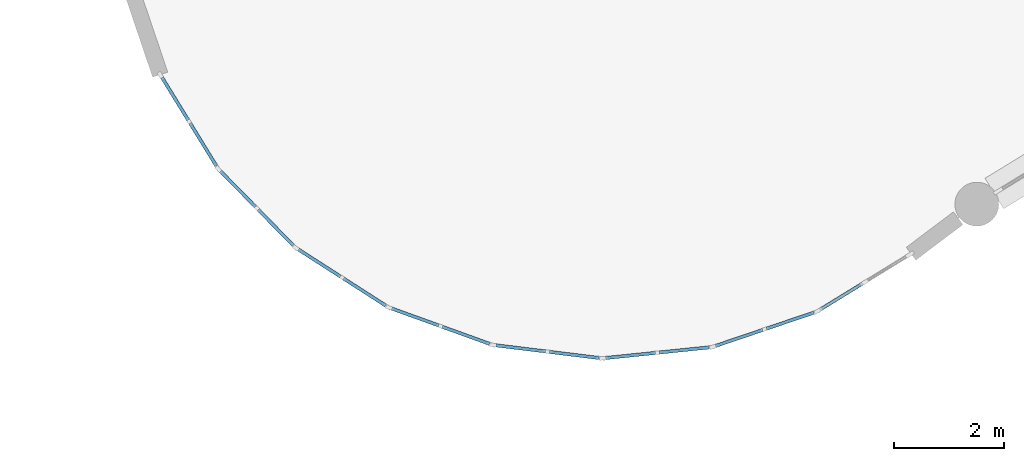
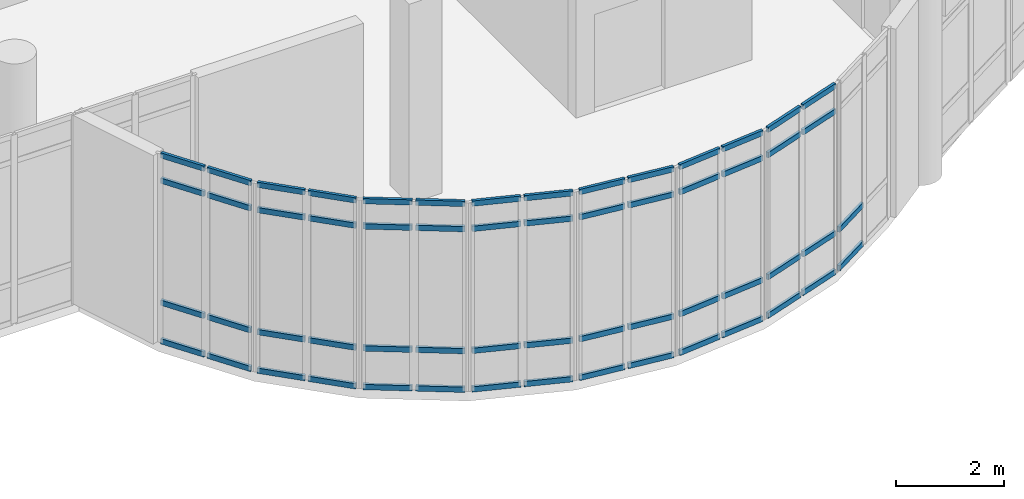
# One storey, part 28 of 54: 58 members, 8 elements without a shape of their own.
"""IFC4 building model written with IfcOpenShell, lengths in metres."""

from ifc_helpers import new_model, si_unit, direction, frame, origin, origin_2d, place, context, subcontext, project, spatial, rectangle, extrude, material, layer, layer_set, material_profile, profile_set, type_object, element, aggregate, save


model = new_model("IFC4")

# Units and contexts
model_context = context("Model", 3, precision=1e-05, world=origin(), true_north=direction((0.0, 1.0)))
body_context = subcontext(model_context, "Body", "Model", "MODEL_VIEW")
ifc_project = project(units=[si_unit("LENGTHUNIT", "METRE"), si_unit("AREAUNIT", "SQUARE_METRE"), si_unit("VOLUMEUNIT", "CUBIC_METRE"), si_unit("PLANEANGLEUNIT", "RADIAN"), si_unit("MASSUNIT", "GRAM", prefix="KILO")], contexts=[model_context])

# Site, building, storey
site_placement = place(None, origin())
site = spatial("IfcSite", under=ifc_project, at=site_placement, CompositionType="ELEMENT")
building_placement = place(site_placement, origin())
building = spatial("IfcBuilding", under=site, at=building_placement, Name="Miralva Faculty of Natural Sciences", CompositionType="ELEMENT")
storey_placement = place(building_placement, frame((0.0, 0.0, 19.5)))
storey = spatial("IfcBuildingStorey", under=building, at=storey_placement, Name="L04", CompositionType="ELEMENT", Elevation=19.5)

# Curtain wall, members
ifc_material_1 = material(Name="Laminated solar-control glass", Category="glass")
ifc_layer = layer(ifc_material_1, 0.179931640625, Name="CW-RND-L03")
ifc_layer_set = layer_set([ifc_layer], Name="Laminated solar-control glass")
curtain_wall_type = type_object("IfcCurtainWallType", Name="CW-RND-L03", PredefinedType="USERDEFINED", material=ifc_layer_set)
curtain_wall_1_placement = place(storey_placement, origin())
curtain_wall_1 = element("IfcCurtainWall", 1, at=curtain_wall_1_placement, inside=storey, type_object=curtain_wall_type, Name="Curtain wall CW-06 L04-189", ObjectType="UNITISED CURTAIN WALL", PredefinedType="USERDEFINED")
ifc_material_2 = material(Name="Anodised aluminium", Category="aluminium")
ifc_material_profile = material_profile(ifc_material_2, rectangle(XDim=0.06005859375, YDim=0.1201171875, at=origin_2d()), Name="TRANSOM 60x120")
ifc_profile_set = profile_set([ifc_material_profile], Name="Anodised aluminium")
member_type = type_object("IfcMemberType", Name="CW-T02", PredefinedType="USERDEFINED", material=ifc_profile_set)
member_1_placement = place(storey_placement, frame((61.864990234375, 11.86328125, 0.030029296875), z_axis=(0.852016327326, 0.52351521274, 0.0), x_axis=(-0.52351521274, 0.852016327326, 0.0)))
member_1 = element("IfcMember", 2, at=member_1_placement, type_object=member_type, Name="CW-06 transom 1.1", ObjectType="TRANSOM", PredefinedType="USERDEFINED", context=body_context, shape_type="SweptSolid", body=[
    extrude(rectangle(XDim=0.06005859375, YDim=0.1201171875, at=origin_2d()), origin(), (0.0, 0.0, 1.0), 0.91259765625),
])
member_2_placement = place(storey_placement, frame((61.864990234375, 11.86328125, 0.89990234375), z_axis=(0.852016327326, 0.52351521274, 0.0), x_axis=(-0.52351521274, 0.852016327326, 0.0)))
member_2 = element("IfcMember", 3, at=member_2_placement, type_object=member_type, Name="CW-06 transom 1.2", ObjectType="TRANSOM", PredefinedType="USERDEFINED", context=body_context, shape_type="SweptSolid", body=[
    extrude(rectangle(XDim=0.06005859375, YDim=0.1201171875, at=origin_2d()), origin(), (0.0, 0.0, 1.0), 0.91259765625),
])
aggregate(curtain_wall_1, [member_1, member_2])

curtain_wall_2_placement = place(storey_placement, origin())
curtain_wall_2 = element("IfcCurtainWall", 4, at=curtain_wall_2_placement, inside=storey, type_object=curtain_wall_type, Name="Curtain wall CW-06 L04-190", ObjectType="UNITISED CURTAIN WALL", PredefinedType="USERDEFINED")
member_3_placement = place(storey_placement, frame((59.962158203125, 11.20361328125, 0.030029296875), z_axis=(0.947174722358, 0.32071801528, 0.0), x_axis=(-0.32071801528, 0.947174722358, 0.0)))
member_3 = element("IfcMember", 5, at=member_3_placement, type_object=member_type, Name="CW-06 transom 1.1", ObjectType="TRANSOM", PredefinedType="USERDEFINED", context=body_context, shape_type="SweptSolid", body=[
    extrude(rectangle(XDim=0.06005859375, YDim=0.1201171875, at=origin_2d()), origin(), (0.0, 0.0, 1.0), 0.91259765625),
])
member_4_placement = place(storey_placement, frame((59.962158203125, 11.20361328125, 0.89990234375), z_axis=(0.947174722358, 0.32071801528, 0.0), x_axis=(-0.32071801528, 0.947174722358, 0.0)))
member_4 = element("IfcMember", 6, at=member_4_placement, type_object=member_type, Name="CW-06 transom 1.2", ObjectType="TRANSOM", PredefinedType="USERDEFINED", context=body_context, shape_type="SweptSolid", body=[
    extrude(rectangle(XDim=0.06005859375, YDim=0.1201171875, at=origin_2d()), origin(), (0.0, 0.0, 1.0), 0.91259765625),
])
member_5_placement = place(storey_placement, frame((59.962158203125, 11.20361328125, 3.64990234375), z_axis=(0.947174722358, 0.32071801528, 0.0), x_axis=(-0.32071801528, 0.947174722358, 0.0)))
member_5 = element("IfcMember", 7, at=member_5_placement, type_object=member_type, Name="CW-06 transom 1.3", ObjectType="TRANSOM", PredefinedType="USERDEFINED", context=body_context, shape_type="SweptSolid", body=[
    extrude(rectangle(XDim=0.06005859375, YDim=0.1201171875, at=origin_2d()), origin(), (0.0, 0.0, 1.0), 0.91259765625),
])
member_6_placement = place(storey_placement, frame((59.962158203125, 11.20361328125, 4.219970703125), z_axis=(0.947174722358, 0.32071801528, 0.0), x_axis=(-0.32071801528, 0.947174722358, 0.0)))
member_6 = element("IfcMember", 8, at=member_6_placement, type_object=member_type, Name="CW-06 transom 1.4", ObjectType="TRANSOM", PredefinedType="USERDEFINED", context=body_context, shape_type="SweptSolid", body=[
    extrude(rectangle(XDim=0.06005859375, YDim=0.1201171875, at=origin_2d()), origin(), (0.0, 0.0, 1.0), 0.91259765625),
])
member_7_placement = place(storey_placement, frame((60.88818359375, 11.517333984375, 0.030029296875), z_axis=(0.947174722358, 0.32071801528, 0.0), x_axis=(-0.32071801528, 0.947174722358, 0.0)))
member_7 = element("IfcMember", 9, at=member_7_placement, type_object=member_type, Name="CW-06 transom 2.1", ObjectType="TRANSOM", PredefinedType="USERDEFINED", context=body_context, shape_type="SweptSolid", body=[
    extrude(rectangle(XDim=0.06005859375, YDim=0.1201171875, at=origin_2d()), origin(), (0.0, 0.0, 1.0), 0.91259765625),
])
member_8_placement = place(storey_placement, frame((60.88818359375, 11.517333984375, 0.89990234375), z_axis=(0.947174722358, 0.32071801528, 0.0), x_axis=(-0.32071801528, 0.947174722358, 0.0)))
member_8 = element("IfcMember", 10, at=member_8_placement, type_object=member_type, Name="CW-06 transom 2.2", ObjectType="TRANSOM", PredefinedType="USERDEFINED", context=body_context, shape_type="SweptSolid", body=[
    extrude(rectangle(XDim=0.06005859375, YDim=0.1201171875, at=origin_2d()), origin(), (0.0, 0.0, 1.0), 0.91259765625),
])
member_9_placement = place(storey_placement, frame((60.88818359375, 11.517333984375, 3.64990234375), z_axis=(0.947174722358, 0.32071801528, 0.0), x_axis=(-0.32071801528, 0.947174722358, 0.0)))
member_9 = element("IfcMember", 11, at=member_9_placement, type_object=member_type, Name="CW-06 transom 2.3", ObjectType="TRANSOM", PredefinedType="USERDEFINED", context=body_context, shape_type="SweptSolid", body=[
    extrude(rectangle(XDim=0.06005859375, YDim=0.1201171875, at=origin_2d()), origin(), (0.0, 0.0, 1.0), 0.91259765625),
])
member_10_placement = place(storey_placement, frame((60.88818359375, 11.517333984375, 4.219970703125), z_axis=(0.947174722358, 0.32071801528, 0.0), x_axis=(-0.32071801528, 0.947174722358, 0.0)))
member_10 = element("IfcMember", 12, at=member_10_placement, type_object=member_type, Name="CW-06 transom 2.4", ObjectType="TRANSOM", PredefinedType="USERDEFINED", context=body_context, shape_type="SweptSolid", body=[
    extrude(rectangle(XDim=0.06005859375, YDim=0.1201171875, at=origin_2d()), origin(), (0.0, 0.0, 1.0), 0.91259765625),
])
aggregate(curtain_wall_2, [member_3, member_4, member_5, member_6, member_7, member_8, member_9, member_10])

curtain_wall_3_placement = place(storey_placement, origin())
curtain_wall_3 = element("IfcCurtainWall", 13, at=curtain_wall_3_placement, inside=storey, type_object=curtain_wall_type, Name="Curtain wall CW-06 L04-191", ObjectType="UNITISED CURTAIN WALL", PredefinedType="USERDEFINED")
member_11_placement = place(storey_placement, frame((57.96044921875, 10.983642578125, 0.030029296875), z_axis=(0.994766112877, 0.102178180995, 0.0), x_axis=(-0.102178180995, 0.994766112877, 0.0)))
member_11 = element("IfcMember", 14, at=member_11_placement, type_object=member_type, Name="CW-06 transom 1.1", ObjectType="TRANSOM", PredefinedType="USERDEFINED", context=body_context, shape_type="SweptSolid", body=[
    extrude(rectangle(XDim=0.06005859375, YDim=0.1201171875, at=origin_2d()), origin(), (0.0, 0.0, 1.0), 0.912841796875),
])
member_12_placement = place(storey_placement, frame((57.96044921875, 10.983642578125, 0.89990234375), z_axis=(0.994766112877, 0.102178180995, 0.0), x_axis=(-0.102178180995, 0.994766112877, 0.0)))
member_12 = element("IfcMember", 15, at=member_12_placement, type_object=member_type, Name="CW-06 transom 1.2", ObjectType="TRANSOM", PredefinedType="USERDEFINED", context=body_context, shape_type="SweptSolid", body=[
    extrude(rectangle(XDim=0.06005859375, YDim=0.1201171875, at=origin_2d()), origin(), (0.0, 0.0, 1.0), 0.912841796875),
])
member_13_placement = place(storey_placement, frame((57.96044921875, 10.983642578125, 3.64990234375), z_axis=(0.994766112877, 0.102178180995, 0.0), x_axis=(-0.102178180995, 0.994766112877, 0.0)))
member_13 = element("IfcMember", 16, at=member_13_placement, type_object=member_type, Name="CW-06 transom 1.3", ObjectType="TRANSOM", PredefinedType="USERDEFINED", context=body_context, shape_type="SweptSolid", body=[
    extrude(rectangle(XDim=0.06005859375, YDim=0.1201171875, at=origin_2d()), origin(), (0.0, 0.0, 1.0), 0.912841796875),
])
member_14_placement = place(storey_placement, frame((57.96044921875, 10.983642578125, 4.219970703125), z_axis=(0.994766112877, 0.102178180995, 0.0), x_axis=(-0.102178180995, 0.994766112877, 0.0)))
member_14 = element("IfcMember", 17, at=member_14_placement, type_object=member_type, Name="CW-06 transom 1.4", ObjectType="TRANSOM", PredefinedType="USERDEFINED", context=body_context, shape_type="SweptSolid", body=[
    extrude(rectangle(XDim=0.06005859375, YDim=0.1201171875, at=origin_2d()), origin(), (0.0, 0.0, 1.0), 0.912841796875),
])
member_15_placement = place(storey_placement, frame((58.93310546875, 11.08349609375, 0.030029296875), z_axis=(0.994793266196, 0.101913480619, 0.0), x_axis=(-0.101913480619, 0.994793266196, 0.0)))
member_15 = element("IfcMember", 18, at=member_15_placement, type_object=member_type, Name="CW-06 transom 2.1", ObjectType="TRANSOM", PredefinedType="USERDEFINED", context=body_context, shape_type="SweptSolid", body=[
    extrude(rectangle(XDim=0.06005859375, YDim=0.1201171875, at=origin_2d()), origin(), (0.0, 0.0, 1.0), 0.91259765625),
])
member_16_placement = place(storey_placement, frame((58.93310546875, 11.08349609375, 0.89990234375), z_axis=(0.994793266196, 0.101913480619, 0.0), x_axis=(-0.101913480619, 0.994793266196, 0.0)))
member_16 = element("IfcMember", 19, at=member_16_placement, type_object=member_type, Name="CW-06 transom 2.2", ObjectType="TRANSOM", PredefinedType="USERDEFINED", context=body_context, shape_type="SweptSolid", body=[
    extrude(rectangle(XDim=0.06005859375, YDim=0.1201171875, at=origin_2d()), origin(), (0.0, 0.0, 1.0), 0.91259765625),
])
member_17_placement = place(storey_placement, frame((58.93310546875, 11.08349609375, 3.64990234375), z_axis=(0.994793266196, 0.101913480619, 0.0), x_axis=(-0.101913480619, 0.994793266196, 0.0)))
member_17 = element("IfcMember", 20, at=member_17_placement, type_object=member_type, Name="CW-06 transom 2.3", ObjectType="TRANSOM", PredefinedType="USERDEFINED", context=body_context, shape_type="SweptSolid", body=[
    extrude(rectangle(XDim=0.06005859375, YDim=0.1201171875, at=origin_2d()), origin(), (0.0, 0.0, 1.0), 0.91259765625),
])
member_18_placement = place(storey_placement, frame((58.93310546875, 11.08349609375, 4.219970703125), z_axis=(0.994793266196, 0.101913480619, 0.0), x_axis=(-0.101913480619, 0.994793266196, 0.0)))
member_18 = element("IfcMember", 21, at=member_18_placement, type_object=member_type, Name="CW-06 transom 2.4", ObjectType="TRANSOM", PredefinedType="USERDEFINED", context=body_context, shape_type="SweptSolid", body=[
    extrude(rectangle(XDim=0.06005859375, YDim=0.1201171875, at=origin_2d()), origin(), (0.0, 0.0, 1.0), 0.91259765625),
])
aggregate(curtain_wall_3, [member_11, member_12, member_13, member_14, member_15, member_16, member_17, member_18])

curtain_wall_4_placement = place(storey_placement, origin())
curtain_wall_4 = element("IfcCurtainWall", 22, at=curtain_wall_4_placement, inside=storey, type_object=curtain_wall_type, Name="Curtain wall CW-06 L04-192", ObjectType="UNITISED CURTAIN WALL", PredefinedType="USERDEFINED")
member_19_placement = place(storey_placement, frame((55.9599609375, 11.214599609375, 0.030029296875), z_axis=(0.99256727955, -0.121697146913, 0.0), x_axis=(0.121697146913, 0.99256727955, 0.0)))
member_19 = element("IfcMember", 23, at=member_19_placement, type_object=member_type, Name="CW-06 transom 1.1", ObjectType="TRANSOM", PredefinedType="USERDEFINED", context=body_context, shape_type="SweptSolid", body=[
    extrude(rectangle(XDim=0.06005859375, YDim=0.1201171875, at=origin_2d()), origin(), (0.0, 0.0, 1.0), 0.912841796875),
])
member_20_placement = place(storey_placement, frame((55.9599609375, 11.214599609375, 0.89990234375), z_axis=(0.99256727955, -0.121697146913, 0.0), x_axis=(0.121697146913, 0.99256727955, 0.0)))
member_20 = element("IfcMember", 24, at=member_20_placement, type_object=member_type, Name="CW-06 transom 1.2", ObjectType="TRANSOM", PredefinedType="USERDEFINED", context=body_context, shape_type="SweptSolid", body=[
    extrude(rectangle(XDim=0.06005859375, YDim=0.1201171875, at=origin_2d()), origin(), (0.0, 0.0, 1.0), 0.912841796875),
])
member_21_placement = place(storey_placement, frame((55.9599609375, 11.214599609375, 3.64990234375), z_axis=(0.99256727955, -0.121697146913, 0.0), x_axis=(0.121697146913, 0.99256727955, 0.0)))
member_21 = element("IfcMember", 25, at=member_21_placement, type_object=member_type, Name="CW-06 transom 1.3", ObjectType="TRANSOM", PredefinedType="USERDEFINED", context=body_context, shape_type="SweptSolid", body=[
    extrude(rectangle(XDim=0.06005859375, YDim=0.1201171875, at=origin_2d()), origin(), (0.0, 0.0, 1.0), 0.912841796875),
])
member_22_placement = place(storey_placement, frame((55.9599609375, 11.214599609375, 4.219970703125), z_axis=(0.99256727955, -0.121697146913, 0.0), x_axis=(0.121697146913, 0.99256727955, 0.0)))
member_22 = element("IfcMember", 26, at=member_22_placement, type_object=member_type, Name="CW-06 transom 1.4", ObjectType="TRANSOM", PredefinedType="USERDEFINED", context=body_context, shape_type="SweptSolid", body=[
    extrude(rectangle(XDim=0.06005859375, YDim=0.1201171875, at=origin_2d()), origin(), (0.0, 0.0, 1.0), 0.912841796875),
])
member_23_placement = place(storey_placement, frame((56.930419921875, 11.095458984375, 0.030029296875), z_axis=(0.992563316744, -0.121729463374, 0.0), x_axis=(0.121729463374, 0.992563316744, 0.0)))
member_23 = element("IfcMember", 27, at=member_23_placement, type_object=member_type, Name="CW-06 transom 2.1", ObjectType="TRANSOM", PredefinedType="USERDEFINED", context=body_context, shape_type="SweptSolid", body=[
    extrude(rectangle(XDim=0.06005859375, YDim=0.1201171875, at=origin_2d()), origin(), (0.0, 0.0, 1.0), 0.91259765625),
])
member_24_placement = place(storey_placement, frame((56.930419921875, 11.095458984375, 0.89990234375), z_axis=(0.992563316744, -0.121729463374, 0.0), x_axis=(0.121729463374, 0.992563316744, 0.0)))
member_24 = element("IfcMember", 28, at=member_24_placement, type_object=member_type, Name="CW-06 transom 2.2", ObjectType="TRANSOM", PredefinedType="USERDEFINED", context=body_context, shape_type="SweptSolid", body=[
    extrude(rectangle(XDim=0.06005859375, YDim=0.1201171875, at=origin_2d()), origin(), (0.0, 0.0, 1.0), 0.91259765625),
])
member_25_placement = place(storey_placement, frame((56.930419921875, 11.095458984375, 3.64990234375), z_axis=(0.992563316744, -0.121729463374, 0.0), x_axis=(0.121729463374, 0.992563316744, 0.0)))
member_25 = element("IfcMember", 29, at=member_25_placement, type_object=member_type, Name="CW-06 transom 2.3", ObjectType="TRANSOM", PredefinedType="USERDEFINED", context=body_context, shape_type="SweptSolid", body=[
    extrude(rectangle(XDim=0.06005859375, YDim=0.1201171875, at=origin_2d()), origin(), (0.0, 0.0, 1.0), 0.91259765625),
])
member_26_placement = place(storey_placement, frame((56.930419921875, 11.095458984375, 4.219970703125), z_axis=(0.992563316744, -0.121729463374, 0.0), x_axis=(0.121729463374, 0.992563316744, 0.0)))
member_26 = element("IfcMember", 30, at=member_26_placement, type_object=member_type, Name="CW-06 transom 2.4", ObjectType="TRANSOM", PredefinedType="USERDEFINED", context=body_context, shape_type="SweptSolid", body=[
    extrude(rectangle(XDim=0.06005859375, YDim=0.1201171875, at=origin_2d()), origin(), (0.0, 0.0, 1.0), 0.91259765625),
])
aggregate(curtain_wall_4, [member_19, member_20, member_21, member_22, member_23, member_24, member_25, member_26])

curtain_wall_5_placement = place(storey_placement, origin())
curtain_wall_5 = element("IfcCurtainWall", 31, at=curtain_wall_5_placement, inside=storey, type_object=curtain_wall_type, Name="Curtain wall CW-06 L04-193", ObjectType="UNITISED CURTAIN WALL", PredefinedType="USERDEFINED")
member_27_placement = place(storey_placement, frame((54.06103515625, 11.885009765625, 0.030029296875), z_axis=(0.94061086064, -0.339486684344, 0.0), x_axis=(0.339486684344, 0.94061086064, 0.0)))
member_27 = element("IfcMember", 32, at=member_27_placement, type_object=member_type, Name="CW-06 transom 1.1", ObjectType="TRANSOM", PredefinedType="USERDEFINED", context=body_context, shape_type="SweptSolid", body=[
    extrude(rectangle(XDim=0.06005859375, YDim=0.1201171875, at=origin_2d()), origin(), (0.0, 0.0, 1.0), 0.91259765625),
])
member_28_placement = place(storey_placement, frame((54.06103515625, 11.885009765625, 0.89990234375), z_axis=(0.94061086064, -0.339486684344, 0.0), x_axis=(0.339486684344, 0.94061086064, 0.0)))
member_28 = element("IfcMember", 33, at=member_28_placement, type_object=member_type, Name="CW-06 transom 1.2", ObjectType="TRANSOM", PredefinedType="USERDEFINED", context=body_context, shape_type="SweptSolid", body=[
    extrude(rectangle(XDim=0.06005859375, YDim=0.1201171875, at=origin_2d()), origin(), (0.0, 0.0, 1.0), 0.91259765625),
])
member_29_placement = place(storey_placement, frame((54.06103515625, 11.885009765625, 3.64990234375), z_axis=(0.94061086064, -0.339486684344, 0.0), x_axis=(0.339486684344, 0.94061086064, 0.0)))
member_29 = element("IfcMember", 34, at=member_29_placement, type_object=member_type, Name="CW-06 transom 1.3", ObjectType="TRANSOM", PredefinedType="USERDEFINED", context=body_context, shape_type="SweptSolid", body=[
    extrude(rectangle(XDim=0.06005859375, YDim=0.1201171875, at=origin_2d()), origin(), (0.0, 0.0, 1.0), 0.91259765625),
])
member_30_placement = place(storey_placement, frame((54.06103515625, 11.885009765625, 4.219970703125), z_axis=(0.94061086064, -0.339486684344, 0.0), x_axis=(0.339486684344, 0.94061086064, 0.0)))
member_30 = element("IfcMember", 35, at=member_30_placement, type_object=member_type, Name="CW-06 transom 1.4", ObjectType="TRANSOM", PredefinedType="USERDEFINED", context=body_context, shape_type="SweptSolid", body=[
    extrude(rectangle(XDim=0.06005859375, YDim=0.1201171875, at=origin_2d()), origin(), (0.0, 0.0, 1.0), 0.91259765625),
])
member_31_placement = place(storey_placement, frame((54.980712890625, 11.552978515625, 0.030029296875), z_axis=(0.940525411881, -0.339723342744, 0.0), x_axis=(0.339723342744, 0.940525411881, 0.0)))
member_31 = element("IfcMember", 36, at=member_31_placement, type_object=member_type, Name="CW-06 transom 2.1", ObjectType="TRANSOM", PredefinedType="USERDEFINED", context=body_context, shape_type="SweptSolid", body=[
    extrude(rectangle(XDim=0.06005859375, YDim=0.1201171875, at=origin_2d()), origin(), (0.0, 0.0, 1.0), 0.91259765625),
])
member_32_placement = place(storey_placement, frame((54.980712890625, 11.552978515625, 0.89990234375), z_axis=(0.940525411881, -0.339723342744, 0.0), x_axis=(0.339723342744, 0.940525411881, 0.0)))
member_32 = element("IfcMember", 37, at=member_32_placement, type_object=member_type, Name="CW-06 transom 2.2", ObjectType="TRANSOM", PredefinedType="USERDEFINED", context=body_context, shape_type="SweptSolid", body=[
    extrude(rectangle(XDim=0.06005859375, YDim=0.1201171875, at=origin_2d()), origin(), (0.0, 0.0, 1.0), 0.91259765625),
])
member_33_placement = place(storey_placement, frame((54.980712890625, 11.552978515625, 3.64990234375), z_axis=(0.940525411881, -0.339723342744, 0.0), x_axis=(0.339723342744, 0.940525411881, 0.0)))
member_33 = element("IfcMember", 38, at=member_33_placement, type_object=member_type, Name="CW-06 transom 2.3", ObjectType="TRANSOM", PredefinedType="USERDEFINED", context=body_context, shape_type="SweptSolid", body=[
    extrude(rectangle(XDim=0.06005859375, YDim=0.1201171875, at=origin_2d()), origin(), (0.0, 0.0, 1.0), 0.91259765625),
])
member_34_placement = place(storey_placement, frame((54.980712890625, 11.552978515625, 4.219970703125), z_axis=(0.940525411881, -0.339723342744, 0.0), x_axis=(0.339723342744, 0.940525411881, 0.0)))
member_34 = element("IfcMember", 39, at=member_34_placement, type_object=member_type, Name="CW-06 transom 2.4", ObjectType="TRANSOM", PredefinedType="USERDEFINED", context=body_context, shape_type="SweptSolid", body=[
    extrude(rectangle(XDim=0.06005859375, YDim=0.1201171875, at=origin_2d()), origin(), (0.0, 0.0, 1.0), 0.91259765625),
])
aggregate(curtain_wall_5, [member_27, member_28, member_29, member_30, member_31, member_32, member_33, member_34])

curtain_wall_6_placement = place(storey_placement, origin())
curtain_wall_6 = element("IfcCurtainWall", 40, at=curtain_wall_6_placement, inside=storey, type_object=curtain_wall_type, Name="Curtain wall CW-06 L04-194", ObjectType="UNITISED CURTAIN WALL", PredefinedType="USERDEFINED")
member_35_placement = place(storey_placement, frame((52.35888671875, 12.961181640625, 0.030029296875), z_axis=(0.841473826714, -0.540297879836, 0.0), x_axis=(0.540297879836, 0.841473826714, 0.0)))
member_35 = element("IfcMember", 41, at=member_35_placement, type_object=member_type, Name="CW-06 transom 1.1", ObjectType="TRANSOM", PredefinedType="USERDEFINED", context=body_context, shape_type="SweptSolid", body=[
    extrude(rectangle(XDim=0.06005859375, YDim=0.1201171875, at=origin_2d()), origin(), (0.0, 0.0, 1.0), 0.912841796875),
])
member_36_placement = place(storey_placement, frame((52.35888671875, 12.961181640625, 0.89990234375), z_axis=(0.841473826714, -0.540297879836, 0.0), x_axis=(0.540297879836, 0.841473826714, 0.0)))
member_36 = element("IfcMember", 42, at=member_36_placement, type_object=member_type, Name="CW-06 transom 1.2", ObjectType="TRANSOM", PredefinedType="USERDEFINED", context=body_context, shape_type="SweptSolid", body=[
    extrude(rectangle(XDim=0.06005859375, YDim=0.1201171875, at=origin_2d()), origin(), (0.0, 0.0, 1.0), 0.912841796875),
])
member_37_placement = place(storey_placement, frame((52.35888671875, 12.961181640625, 3.64990234375), z_axis=(0.841473826714, -0.540297879836, 0.0), x_axis=(0.540297879836, 0.841473826714, 0.0)))
member_37 = element("IfcMember", 43, at=member_37_placement, type_object=member_type, Name="CW-06 transom 1.3", ObjectType="TRANSOM", PredefinedType="USERDEFINED", context=body_context, shape_type="SweptSolid", body=[
    extrude(rectangle(XDim=0.06005859375, YDim=0.1201171875, at=origin_2d()), origin(), (0.0, 0.0, 1.0), 0.912841796875),
])
member_38_placement = place(storey_placement, frame((52.35888671875, 12.961181640625, 4.219970703125), z_axis=(0.841473826714, -0.540297879836, 0.0), x_axis=(0.540297879836, 0.841473826714, 0.0)))
member_38 = element("IfcMember", 44, at=member_38_placement, type_object=member_type, Name="CW-06 transom 1.4", ObjectType="TRANSOM", PredefinedType="USERDEFINED", context=body_context, shape_type="SweptSolid", body=[
    extrude(rectangle(XDim=0.06005859375, YDim=0.1201171875, at=origin_2d()), origin(), (0.0, 0.0, 1.0), 0.912841796875),
])
member_39_placement = place(storey_placement, frame((53.181640625, 12.432861328125, 0.030029296875), z_axis=(0.841395718797, -0.540419507781, 0.0), x_axis=(0.540419507781, 0.841395718797, 0.0)))
member_39 = element("IfcMember", 45, at=member_39_placement, type_object=member_type, Name="CW-06 transom 2.1", ObjectType="TRANSOM", PredefinedType="USERDEFINED", context=body_context, shape_type="SweptSolid", body=[
    extrude(rectangle(XDim=0.06005859375, YDim=0.1201171875, at=origin_2d()), origin(), (0.0, 0.0, 1.0), 0.91259765625),
])
member_40_placement = place(storey_placement, frame((53.181640625, 12.432861328125, 0.89990234375), z_axis=(0.841395718797, -0.540419507781, 0.0), x_axis=(0.540419507781, 0.841395718797, 0.0)))
member_40 = element("IfcMember", 46, at=member_40_placement, type_object=member_type, Name="CW-06 transom 2.2", ObjectType="TRANSOM", PredefinedType="USERDEFINED", context=body_context, shape_type="SweptSolid", body=[
    extrude(rectangle(XDim=0.06005859375, YDim=0.1201171875, at=origin_2d()), origin(), (0.0, 0.0, 1.0), 0.91259765625),
])
member_41_placement = place(storey_placement, frame((53.181640625, 12.432861328125, 3.64990234375), z_axis=(0.841395718797, -0.540419507781, 0.0), x_axis=(0.540419507781, 0.841395718797, 0.0)))
member_41 = element("IfcMember", 47, at=member_41_placement, type_object=member_type, Name="CW-06 transom 2.3", ObjectType="TRANSOM", PredefinedType="USERDEFINED", context=body_context, shape_type="SweptSolid", body=[
    extrude(rectangle(XDim=0.06005859375, YDim=0.1201171875, at=origin_2d()), origin(), (0.0, 0.0, 1.0), 0.91259765625),
])
member_42_placement = place(storey_placement, frame((53.181640625, 12.432861328125, 4.219970703125), z_axis=(0.841395718797, -0.540419507781, 0.0), x_axis=(0.540419507781, 0.841395718797, 0.0)))
member_42 = element("IfcMember", 48, at=member_42_placement, type_object=member_type, Name="CW-06 transom 2.4", ObjectType="TRANSOM", PredefinedType="USERDEFINED", context=body_context, shape_type="SweptSolid", body=[
    extrude(rectangle(XDim=0.06005859375, YDim=0.1201171875, at=origin_2d()), origin(), (0.0, 0.0, 1.0), 0.91259765625),
])
aggregate(curtain_wall_6, [member_35, member_36, member_37, member_38, member_39, member_40, member_41, member_42])

curtain_wall_7_placement = place(storey_placement, origin())
curtain_wall_7 = element("IfcCurtainWall", 49, at=curtain_wall_7_placement, inside=storey, type_object=curtain_wall_type, Name="Curtain wall CW-06 L04-195", ObjectType="UNITISED CURTAIN WALL", PredefinedType="USERDEFINED")
member_43_placement = place(storey_placement, frame((50.93896484375, 14.38916015625, 0.030029296875), z_axis=(0.699983155997, -0.71415935289, 0.0), x_axis=(0.71415935289, 0.699983155997, 0.0)))
member_43 = element("IfcMember", 50, at=member_43_placement, type_object=member_type, Name="CW-06 transom 1.1", ObjectType="TRANSOM", PredefinedType="USERDEFINED", context=body_context, shape_type="SweptSolid", body=[
    extrude(rectangle(XDim=0.06005859375, YDim=0.1201171875, at=origin_2d()), origin(), (0.0, 0.0, 1.0), 0.912841796875),
])
member_44_placement = place(storey_placement, frame((50.93896484375, 14.38916015625, 0.89990234375), z_axis=(0.699983155997, -0.71415935289, 0.0), x_axis=(0.71415935289, 0.699983155997, 0.0)))
member_44 = element("IfcMember", 51, at=member_44_placement, type_object=member_type, Name="CW-06 transom 1.2", ObjectType="TRANSOM", PredefinedType="USERDEFINED", context=body_context, shape_type="SweptSolid", body=[
    extrude(rectangle(XDim=0.06005859375, YDim=0.1201171875, at=origin_2d()), origin(), (0.0, 0.0, 1.0), 0.912841796875),
])
member_45_placement = place(storey_placement, frame((50.93896484375, 14.38916015625, 3.64990234375), z_axis=(0.699983155997, -0.71415935289, 0.0), x_axis=(0.71415935289, 0.699983155997, 0.0)))
member_45 = element("IfcMember", 52, at=member_45_placement, type_object=member_type, Name="CW-06 transom 1.3", ObjectType="TRANSOM", PredefinedType="USERDEFINED", context=body_context, shape_type="SweptSolid", body=[
    extrude(rectangle(XDim=0.06005859375, YDim=0.1201171875, at=origin_2d()), origin(), (0.0, 0.0, 1.0), 0.912841796875),
])
member_46_placement = place(storey_placement, frame((50.93896484375, 14.38916015625, 4.219970703125), z_axis=(0.699983155997, -0.71415935289, 0.0), x_axis=(0.71415935289, 0.699983155997, 0.0)))
member_46 = element("IfcMember", 53, at=member_46_placement, type_object=member_type, Name="CW-06 transom 1.4", ObjectType="TRANSOM", PredefinedType="USERDEFINED", context=body_context, shape_type="SweptSolid", body=[
    extrude(rectangle(XDim=0.06005859375, YDim=0.1201171875, at=origin_2d()), origin(), (0.0, 0.0, 1.0), 0.912841796875),
])
member_47_placement = place(storey_placement, frame((51.623291015625, 13.69091796875, 0.030029296875), z_axis=(0.700116880098, -0.714028258686, 0.0), x_axis=(0.714028258686, 0.700116880098, 0.0)))
member_47 = element("IfcMember", 54, at=member_47_placement, type_object=member_type, Name="CW-06 transom 2.1", ObjectType="TRANSOM", PredefinedType="USERDEFINED", context=body_context, shape_type="SweptSolid", body=[
    extrude(rectangle(XDim=0.06005859375, YDim=0.1201171875, at=origin_2d()), origin(), (0.0, 0.0, 1.0), 0.91259765625),
])
member_48_placement = place(storey_placement, frame((51.623291015625, 13.69091796875, 0.89990234375), z_axis=(0.700116880098, -0.714028258686, 0.0), x_axis=(0.714028258686, 0.700116880098, 0.0)))
member_48 = element("IfcMember", 55, at=member_48_placement, type_object=member_type, Name="CW-06 transom 2.2", ObjectType="TRANSOM", PredefinedType="USERDEFINED", context=body_context, shape_type="SweptSolid", body=[
    extrude(rectangle(XDim=0.06005859375, YDim=0.1201171875, at=origin_2d()), origin(), (0.0, 0.0, 1.0), 0.91259765625),
])
member_49_placement = place(storey_placement, frame((51.623291015625, 13.69091796875, 3.64990234375), z_axis=(0.700116880098, -0.714028258686, 0.0), x_axis=(0.714028258686, 0.700116880098, 0.0)))
member_49 = element("IfcMember", 56, at=member_49_placement, type_object=member_type, Name="CW-06 transom 2.3", ObjectType="TRANSOM", PredefinedType="USERDEFINED", context=body_context, shape_type="SweptSolid", body=[
    extrude(rectangle(XDim=0.06005859375, YDim=0.1201171875, at=origin_2d()), origin(), (0.0, 0.0, 1.0), 0.91259765625),
])
member_50_placement = place(storey_placement, frame((51.623291015625, 13.69091796875, 4.219970703125), z_axis=(0.700116880098, -0.714028258686, 0.0), x_axis=(0.714028258686, 0.700116880098, 0.0)))
member_50 = element("IfcMember", 57, at=member_50_placement, type_object=member_type, Name="CW-06 transom 2.4", ObjectType="TRANSOM", PredefinedType="USERDEFINED", context=body_context, shape_type="SweptSolid", body=[
    extrude(rectangle(XDim=0.06005859375, YDim=0.1201171875, at=origin_2d()), origin(), (0.0, 0.0, 1.0), 0.91259765625),
])
aggregate(curtain_wall_7, [member_43, member_44, member_45, member_46, member_47, member_48, member_49, member_50])

curtain_wall_8_placement = place(storey_placement, origin())
curtain_wall_8 = element("IfcCurtainWall", 58, at=curtain_wall_8_placement, inside=storey, type_object=curtain_wall_type, Name="Curtain wall CW-06 L04-196", ObjectType="UNITISED CURTAIN WALL", PredefinedType="USERDEFINED")
member_51_placement = place(storey_placement, frame((49.872314453125, 16.097412109375, 0.030029296875), z_axis=(0.523395914124, -0.852089617986, 0.0), x_axis=(0.852089617986, 0.523395914124, 0.0)))
member_51 = element("IfcMember", 59, at=member_51_placement, type_object=member_type, Name="CW-06 transom 1.1", ObjectType="TRANSOM", PredefinedType="USERDEFINED", context=body_context, shape_type="SweptSolid", body=[
    extrude(rectangle(XDim=0.06005859375, YDim=0.1201171875, at=origin_2d()), origin(), (0.0, 0.0, 1.0), 0.912841796875),
])
member_52_placement = place(storey_placement, frame((49.872314453125, 16.097412109375, 0.89990234375), z_axis=(0.523395914124, -0.852089617986, 0.0), x_axis=(0.852089617986, 0.523395914124, 0.0)))
member_52 = element("IfcMember", 60, at=member_52_placement, type_object=member_type, Name="CW-06 transom 1.2", ObjectType="TRANSOM", PredefinedType="USERDEFINED", context=body_context, shape_type="SweptSolid", body=[
    extrude(rectangle(XDim=0.06005859375, YDim=0.1201171875, at=origin_2d()), origin(), (0.0, 0.0, 1.0), 0.912841796875),
])
member_53_placement = place(storey_placement, frame((49.872314453125, 16.097412109375, 3.64990234375), z_axis=(0.523395914124, -0.852089617986, 0.0), x_axis=(0.852089617986, 0.523395914124, 0.0)))
member_53 = element("IfcMember", 61, at=member_53_placement, type_object=member_type, Name="CW-06 transom 1.3", ObjectType="TRANSOM", PredefinedType="USERDEFINED", context=body_context, shape_type="SweptSolid", body=[
    extrude(rectangle(XDim=0.06005859375, YDim=0.1201171875, at=origin_2d()), origin(), (0.0, 0.0, 1.0), 0.912841796875),
])
member_54_placement = place(storey_placement, frame((49.872314453125, 16.097412109375, 4.219970703125), z_axis=(0.523395914124, -0.852089617986, 0.0), x_axis=(0.852089617986, 0.523395914124, 0.0)))
member_54 = element("IfcMember", 62, at=member_54_placement, type_object=member_type, Name="CW-06 transom 1.4", ObjectType="TRANSOM", PredefinedType="USERDEFINED", context=body_context, shape_type="SweptSolid", body=[
    extrude(rectangle(XDim=0.06005859375, YDim=0.1201171875, at=origin_2d()), origin(), (0.0, 0.0, 1.0), 0.912841796875),
])
member_55_placement = place(storey_placement, frame((50.38427734375, 15.264404296875, 0.030029296875), z_axis=(0.523395914124, -0.852089617986, 0.0), x_axis=(0.852089617986, 0.523395914124, 0.0)))
member_55 = element("IfcMember", 63, at=member_55_placement, type_object=member_type, Name="CW-06 transom 2.1", ObjectType="TRANSOM", PredefinedType="USERDEFINED", context=body_context, shape_type="SweptSolid", body=[
    extrude(rectangle(XDim=0.06005859375, YDim=0.1201171875, at=origin_2d()), origin(), (0.0, 0.0, 1.0), 0.912841796875),
])
member_56_placement = place(storey_placement, frame((50.38427734375, 15.264404296875, 0.89990234375), z_axis=(0.523395914124, -0.852089617986, 0.0), x_axis=(0.852089617986, 0.523395914124, 0.0)))
member_56 = element("IfcMember", 64, at=member_56_placement, type_object=member_type, Name="CW-06 transom 2.2", ObjectType="TRANSOM", PredefinedType="USERDEFINED", context=body_context, shape_type="SweptSolid", body=[
    extrude(rectangle(XDim=0.06005859375, YDim=0.1201171875, at=origin_2d()), origin(), (0.0, 0.0, 1.0), 0.912841796875),
])
member_57_placement = place(storey_placement, frame((50.38427734375, 15.264404296875, 3.64990234375), z_axis=(0.523395914124, -0.852089617986, 0.0), x_axis=(0.852089617986, 0.523395914124, 0.0)))
member_57 = element("IfcMember", 65, at=member_57_placement, type_object=member_type, Name="CW-06 transom 2.3", ObjectType="TRANSOM", PredefinedType="USERDEFINED", context=body_context, shape_type="SweptSolid", body=[
    extrude(rectangle(XDim=0.06005859375, YDim=0.1201171875, at=origin_2d()), origin(), (0.0, 0.0, 1.0), 0.912841796875),
])
member_58_placement = place(storey_placement, frame((50.38427734375, 15.264404296875, 4.219970703125), z_axis=(0.523395914124, -0.852089617986, 0.0), x_axis=(0.852089617986, 0.523395914124, 0.0)))
member_58 = element("IfcMember", 66, at=member_58_placement, type_object=member_type, Name="CW-06 transom 2.4", ObjectType="TRANSOM", PredefinedType="USERDEFINED", context=body_context, shape_type="SweptSolid", body=[
    extrude(rectangle(XDim=0.06005859375, YDim=0.1201171875, at=origin_2d()), origin(), (0.0, 0.0, 1.0), 0.912841796875),
])
aggregate(curtain_wall_8, [member_51, member_52, member_53, member_54, member_55, member_56, member_57, member_58])

save(model, "model.ifc")
